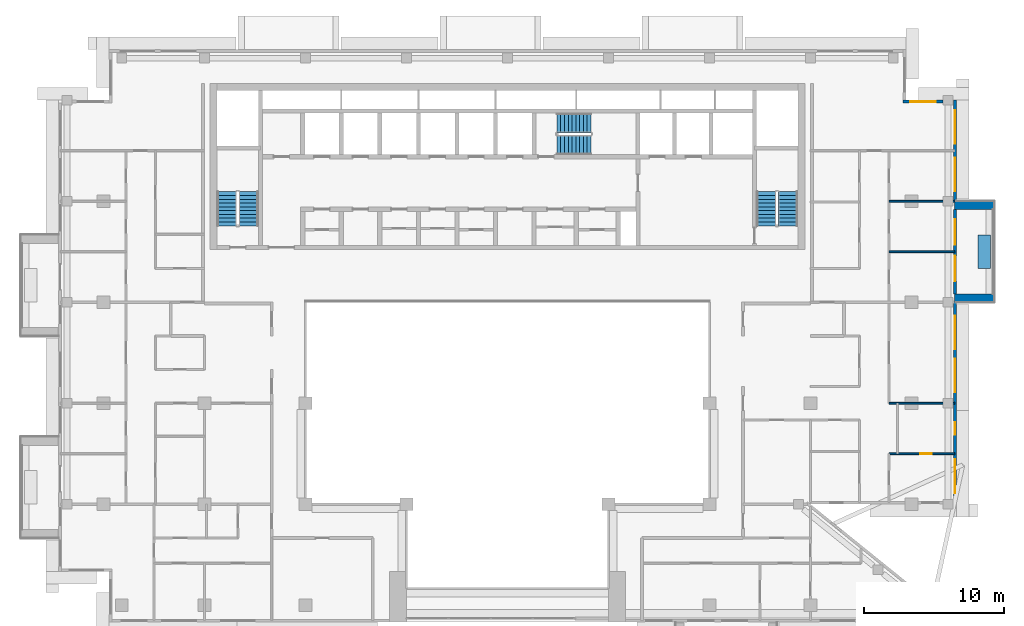
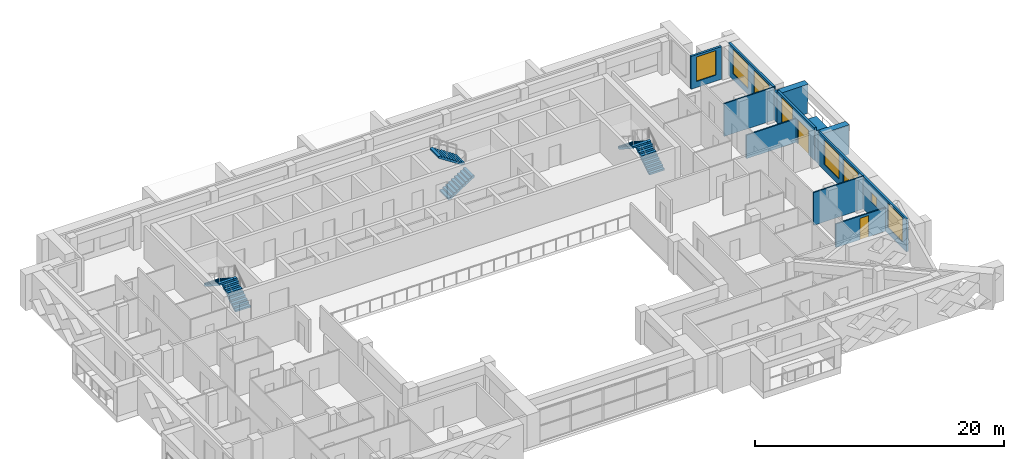
# One storey, part 12 of 19: 11 walls, 8 windows, 6 stair flights, 2 doors, 10 openings, 3 elements without a shape of their own.
"""IFC4 building model written with IfcOpenShell, lengths in metres."""

from ifc_helpers import new_model, si_unit, direction, frame, frame_2d, origin, place, context, subcontext, project, spatial, polyline, rectangle, outline, extrude, material, layer, layer_set, type_object, element, fill, aggregate, save


model = new_model("IFC4")

# Units and contexts
model_context = context("Model", 3, precision=1e-05, world=origin(), true_north=direction((0.0, 1.0)))
body_context = subcontext(model_context, "Body", "Model", "MODEL_VIEW")
ifc_project = project(units=[si_unit("LENGTHUNIT", "METRE"), si_unit("AREAUNIT", "SQUARE_METRE"), si_unit("VOLUMEUNIT", "CUBIC_METRE"), si_unit("PLANEANGLEUNIT", "RADIAN"), si_unit("MASSUNIT", "GRAM", prefix="KILO")], contexts=[model_context])

# Site, building, storey
site_placement = place(None, origin())
site = spatial("IfcSite", under=ifc_project, at=site_placement, CompositionType="ELEMENT")
building_placement = place(site_placement, origin())
building = spatial("IfcBuilding", under=site, at=building_placement, Name="Saffron Iwan Residences", CompositionType="ELEMENT")
storey_placement = place(building_placement, frame((0.0, 0.0, 229.0)))
storey = spatial("IfcBuildingStorey", under=building, at=storey_placement, Name="L61", CompositionType="ELEMENT", Elevation=229.0)

# Walls
ifc_material_1 = material(Name="Concrete C50/60 white painted", Category="concrete")
ifc_layer_1 = layer(ifc_material_1, 0.60009765625)
ifc_layer_set_1 = layer_set([ifc_layer_1], Name="Concrete C50/60 white painted")
wall_type_1 = type_object("IfcWallType", Name="BALCONY FIN 600", PredefinedType="SOLIDWALL", material=ifc_layer_set_1)
for number, where, z_axis, x_axis, name in (
    (1, (82.25, 62.699951171875, 0.0), (0.0, 0.0, 1.0), (1.0, 0.0, 0.0), "Balcony fin L61 F2-0a"),
    (2, (82.25, 69.300048828125, 0.0), (0.0, 0.0, 1.0), (1.0, 0.0, 0.0), "Balcony fin L61 F2-0b"),
):
    element("IfcWall", number, at=place(storey_placement, frame(where, z_axis=z_axis, x_axis=x_axis)), inside=storey, type_object=wall_type_1, Name=name, PredefinedType="SOLIDWALL", context=body_context, shape_type="SweptSolid", body=[
        extrude(rectangle(XDim=2.85009765625, YDim=0.60009765625, at=frame_2d((1.425048828125, 0.0))), origin(), (0.0, 0.0, 1.0), 2.85009765625),
    ])
ifc_material_2 = material(Name="Concrete C35/45 white painted", Category="concrete")
ifc_layer_2 = layer(ifc_material_2, 0.14990234375)
ifc_layer_set_2 = layer_set([ifc_layer_2], Name="Concrete C35/45 white painted")
wall_type_2 = type_object("IfcWallType", Name="BALCONY PLANTER", PredefinedType="SOLIDWALL", material=ifc_layer_set_2)
wall_1_placement = place(storey_placement, frame((84.375, 64.800048828125, 0.0), z_axis=(0.0, 0.0, 1.0), x_axis=(0.0, 1.0, 0.0)))
element("IfcWall", 3, at=wall_1_placement, inside=storey, type_object=wall_type_2, Name="PLANTER L61 F2-0", PredefinedType="SOLIDWALL", context=body_context, shape_type="SweptSolid", body=[
    extrude(rectangle(XDim=2.39990234375, YDim=0.89990234375, at=frame_2d((1.199951171875, 0.0))), origin(), (0.0, 0.0, 1.0), 0.89990234375),
])

# Wall, openings, windows
ifc_material_3 = material(Name="Concrete C40/50", Category="concrete")
ifc_layer_3 = layer(ifc_material_3, 0.199951171875)
ifc_layer_set_3 = layer_set([ifc_layer_3], Name="Concrete C40/50")
wall_type_3 = type_object("IfcWallType", Name="EXTERNAL WALL 200", PredefinedType="SOLIDWALL", material=ifc_layer_set_3)
wall_2_placement = place(storey_placement, frame((82.300048828125, 48.199951171875, 0.0), z_axis=(0.0, 0.0, 1.0), x_axis=(0.0, 1.0, 0.0)))
wall_2 = element("IfcWall", 4, at=wall_2_placement, inside=storey, type_object=wall_type_3, Name="External wall L61 F2.0", PredefinedType="SOLIDWALL", context=body_context, shape_type="SweptSolid", body=[
    extrude(rectangle(XDim=14.199951171875, YDim=0.199951171875, at=frame_2d((7.10009765625, 0.0))), origin(), (0.0, 0.0, 1.0), 3.219970703125),
])
opening_1_placement = place(wall_2_placement, frame((0.60009765625, 0.0, 0.60009765625)))
opening_1 = element("IfcOpeningElement", 5, at=opening_1_placement, cuts=wall_2, Name="Opening W1", PredefinedType="OPENING", context=body_context, shape_type="SweptSolid", body=[
    extrude(rectangle(XDim=2.39990234375, YDim=2.39990234375, at=frame_2d((1.199951171875, 1.199951171875))), frame((0.0, 0.10986328125, 0.0), z_axis=(0.0, -1.0, 0.0), x_axis=(1.0, 0.0, 0.0)), (0.0, 0.0, 1.0), 0.219970703125),
])
opening_2_placement = place(wall_2_placement, frame((4.75, 0.0, 1.5)))
opening_2 = element("IfcOpeningElement", 6, at=opening_2_placement, cuts=wall_2, Name="Opening W6", PredefinedType="OPENING", context=body_context, shape_type="SweptSolid", body=[
    extrude(rectangle(XDim=0.89990234375, YDim=0.89990234375, at=frame_2d((0.449951171875, 0.449951171875))), frame((0.0, 0.10986328125, 0.0), z_axis=(0.0, -1.0, 0.0), x_axis=(1.0, 0.0, 0.0)), (0.0, 0.0, 1.0), 0.219970703125),
])
opening_3_placement = place(wall_2_placement, frame((7.7666015625, 0.0, 0.60009765625)))
opening_3 = element("IfcOpeningElement", 7, at=opening_3_placement, cuts=wall_2, Name="Opening W1", PredefinedType="OPENING", context=body_context, shape_type="SweptSolid", body=[
    extrude(rectangle(XDim=2.39990234375, YDim=2.39990234375, at=frame_2d((1.199951171875, 1.199951171875))), frame((0.0, 0.10986328125, 0.0), z_axis=(0.0, -1.0, 0.0), x_axis=(1.0, 0.0, 0.0)), (0.0, 0.0, 1.0), 0.219970703125),
])
opening_4_placement = place(wall_2_placement, frame((10.833251953125, 0.0, 0.60009765625)))
opening_4 = element("IfcOpeningElement", 8, at=opening_4_placement, cuts=wall_2, Name="Opening W1", PredefinedType="OPENING", context=body_context, shape_type="SweptSolid", body=[
    extrude(rectangle(XDim=2.39990234375, YDim=2.39990234375, at=frame_2d((1.199951171875, 1.199951171875))), frame((0.0, 0.10986328125, 0.0), z_axis=(0.0, -1.0, 0.0), x_axis=(1.0, 0.0, 0.0)), (0.0, 0.0, 1.0), 0.219970703125),
])
ifc_material_4 = material(Name="Clear glass, laminated double glazed", Category="glass")
window_type_1 = type_object("IfcWindowType", Name="WINDOW 2400 x 2400", PartitioningType="DOUBLE_PANEL_VERTICAL", PredefinedType="WINDOW", material=ifc_material_4)
window_1_placement = place(opening_1_placement, origin())
window_1 = element("IfcWindow", 9, at=window_1_placement, inside=storey, type_object=window_type_1, Name="Window L61 F2.0", OverallHeight=2.39990234375, OverallWidth=2.39990234375, PartitioningType="DOUBLE_PANEL_VERTICAL", PredefinedType="WINDOW", context=body_context, shape_type="SweptSolid", body=[
    extrude(rectangle(XDim=2.39990234375, YDim=2.39990234375, at=frame_2d((1.199951171875, 1.199951171875))), frame((0.0, 0.030029296875, 0.0), z_axis=(0.0, -1.0, 0.0), x_axis=(1.0, 0.0, 0.0)), (0.0, 0.0, 1.0), 0.06005859375),
])
fill(opening_1, window_1)
window_2_placement = place(opening_3_placement, origin())
window_2 = element("IfcWindow", 10, at=window_2_placement, inside=storey, type_object=window_type_1, Name="Window L61 F2.2", OverallHeight=2.39990234375, OverallWidth=2.39990234375, PartitioningType="DOUBLE_PANEL_VERTICAL", PredefinedType="WINDOW", context=body_context, shape_type="SweptSolid", body=[
    extrude(rectangle(XDim=2.39990234375, YDim=2.39990234375, at=frame_2d((1.199951171875, 1.199951171875))), frame((0.0, 0.030029296875, 0.0), z_axis=(0.0, -1.0, 0.0), x_axis=(1.0, 0.0, 0.0)), (0.0, 0.0, 1.0), 0.06005859375),
])
fill(opening_3, window_2)
window_3_placement = place(opening_4_placement, origin())
window_3 = element("IfcWindow", 11, at=window_3_placement, inside=storey, type_object=window_type_1, Name="Window L61 F2.3", OverallHeight=2.39990234375, OverallWidth=2.39990234375, PartitioningType="DOUBLE_PANEL_VERTICAL", PredefinedType="WINDOW", context=body_context, shape_type="SweptSolid", body=[
    extrude(rectangle(XDim=2.39990234375, YDim=2.39990234375, at=frame_2d((1.199951171875, 1.199951171875))), frame((0.0, 0.030029296875, 0.0), z_axis=(0.0, -1.0, 0.0), x_axis=(1.0, 0.0, 0.0)), (0.0, 0.0, 1.0), 0.06005859375),
])
fill(opening_4, window_3)
window_type_2 = type_object("IfcWindowType", Name="WINDOW 900 x 900 BATH", PartitioningType="SINGLE_PANEL", PredefinedType="WINDOW", material=ifc_material_4)
window_4_placement = place(opening_2_placement, origin())
window_4 = element("IfcWindow", 12, at=window_4_placement, inside=storey, type_object=window_type_2, Name="Window L61 F2.1", OverallHeight=0.89990234375, OverallWidth=0.89990234375, PartitioningType="SINGLE_PANEL", PredefinedType="WINDOW", context=body_context, shape_type="SweptSolid", body=[
    extrude(rectangle(XDim=0.89990234375, YDim=0.89990234375, at=frame_2d((0.449951171875, 0.449951171875))), frame((0.0, 0.030029296875, 0.0), z_axis=(0.0, -1.0, 0.0), x_axis=(1.0, 0.0, 0.0)), (0.0, 0.0, 1.0), 0.06005859375),
])
fill(opening_2, window_4)

# Wall, openings, door, window
wall_3_placement = place(storey_placement, frame((82.300048828125, 63.0, 0.0), z_axis=(0.0, 0.0, 1.0), x_axis=(0.0, 1.0, 0.0)))
wall_3 = element("IfcWall", 13, at=wall_3_placement, inside=storey, type_object=wall_type_3, Name="External wall L61 F2.1", PredefinedType="SOLIDWALL", context=body_context, shape_type="SweptSolid", body=[
    extrude(rectangle(XDim=6.0, YDim=0.199951171875, at=frame_2d((3.0, 0.0))), origin(), (0.0, 0.0, 1.0), 3.219970703125),
])
opening_5_placement = place(wall_3_placement, frame((0.89990234375, 0.0, 0.0)))
opening_5 = element("IfcOpeningElement", 14, at=opening_5_placement, cuts=wall_3, Name="Opening BD1", PredefinedType="OPENING", context=body_context, shape_type="SweptSolid", body=[
    extrude(rectangle(XDim=1.800048828125, YDim=2.39990234375, at=frame_2d((0.89990234375, 1.199951171875))), frame((0.0, 0.10986328125, 0.0), z_axis=(0.0, -1.0, 0.0), x_axis=(1.0, 0.0, 0.0)), (0.0, 0.0, 1.0), 0.219970703125),
])
opening_6_placement = place(wall_3_placement, frame((3.5, 0.0, 0.60009765625)))
opening_6 = element("IfcOpeningElement", 15, at=opening_6_placement, cuts=wall_3, Name="Opening W8", PredefinedType="OPENING", context=body_context, shape_type="SweptSolid", body=[
    extrude(rectangle(XDim=1.800048828125, YDim=2.39990234375, at=frame_2d((0.89990234375, 1.199951171875))), frame((0.0, 0.10986328125, 0.0), z_axis=(0.0, -1.0, 0.0), x_axis=(1.0, 0.0, 0.0)), (0.0, 0.0, 1.0), 0.219970703125),
])
door_type_1 = type_object("IfcDoorType", Name="BALCONY DOOR 1800 x 2400", OperationType="DOUBLE_DOOR_SLIDING", PredefinedType="DOOR", material=ifc_material_4)
door_1_placement = place(opening_5_placement, origin())
door_1 = element("IfcDoor", 16, at=door_1_placement, inside=storey, type_object=door_type_1, Name="Balcony door L61 F2.0", OperationType="DOUBLE_DOOR_SLIDING", OverallHeight=2.39990234375, OverallWidth=1.800048828125, PredefinedType="DOOR", context=body_context, shape_type="SweptSolid", body=[
    extrude(rectangle(XDim=1.800048828125, YDim=2.39990234375, at=frame_2d((0.89990234375, 1.199951171875))), frame((0.0, 0.02490234375, 0.0), z_axis=(0.0, -1.0, 0.0), x_axis=(1.0, 0.0, 0.0)), (0.0, 0.0, 1.0), 0.050048828125),
])
fill(opening_5, door_1)
window_type_3 = type_object("IfcWindowType", Name="WINDOW 1800 x 2400", PartitioningType="DOUBLE_PANEL_VERTICAL", PredefinedType="WINDOW", material=ifc_material_4)
window_5_placement = place(opening_6_placement, origin())
window_5 = element("IfcWindow", 17, at=window_5_placement, inside=storey, type_object=window_type_3, Name="Window L61 F2.1", OverallHeight=2.39990234375, OverallWidth=1.800048828125, PartitioningType="DOUBLE_PANEL_VERTICAL", PredefinedType="WINDOW", context=body_context, shape_type="SweptSolid", body=[
    extrude(rectangle(XDim=1.800048828125, YDim=2.39990234375, at=frame_2d((0.89990234375, 1.199951171875))), frame((0.0, 0.030029296875, 0.0), z_axis=(0.0, -1.0, 0.0), x_axis=(1.0, 0.0, 0.0)), (0.0, 0.0, 1.0), 0.06005859375),
])
fill(opening_6, window_5)

# Wall, openings, windows
wall_4_placement = place(storey_placement, frame((82.300048828125, 69.60009765625, 0.0), z_axis=(0.0, 0.0, 1.0), x_axis=(0.0, 1.0, 0.0)))
wall_4 = element("IfcWall", 18, at=wall_4_placement, inside=storey, type_object=wall_type_3, Name="External wall L61 F2.2", PredefinedType="SOLIDWALL", context=body_context, shape_type="SweptSolid", body=[
    extrude(rectangle(XDim=7.199951171875, YDim=0.199951171875, at=frame_2d((3.60009765625, 0.0))), origin(), (0.0, 0.0, 1.0), 3.219970703125),
])
opening_7_placement = place(wall_4_placement, frame((0.699951171875, 0.0, 0.60009765625)))
opening_7 = element("IfcOpeningElement", 19, at=opening_7_placement, cuts=wall_4, Name="Opening W1", PredefinedType="OPENING", context=body_context, shape_type="SweptSolid", body=[
    extrude(rectangle(XDim=2.39990234375, YDim=2.39990234375, at=frame_2d((1.199951171875, 1.199951171875))), frame((0.0, 0.10986328125, 0.0), z_axis=(0.0, -1.0, 0.0), x_axis=(1.0, 0.0, 0.0)), (0.0, 0.0, 1.0), 0.219970703125),
])
opening_8_placement = place(wall_4_placement, frame((4.10009765625, 0.0, 0.60009765625)))
opening_8 = element("IfcOpeningElement", 20, at=opening_8_placement, cuts=wall_4, Name="Opening W1", PredefinedType="OPENING", context=body_context, shape_type="SweptSolid", body=[
    extrude(rectangle(XDim=2.39990234375, YDim=2.39990234375, at=frame_2d((1.199951171875, 1.199951171875))), frame((0.0, 0.10986328125, 0.0), z_axis=(0.0, -1.0, 0.0), x_axis=(1.0, 0.0, 0.0)), (0.0, 0.0, 1.0), 0.219970703125),
])
window_6_placement = place(opening_7_placement, origin())
window_6 = element("IfcWindow", 21, at=window_6_placement, inside=storey, type_object=window_type_1, Name="Window L61 F2.0", OverallHeight=2.39990234375, OverallWidth=2.39990234375, PartitioningType="DOUBLE_PANEL_VERTICAL", PredefinedType="WINDOW", context=body_context, shape_type="SweptSolid", body=[
    extrude(rectangle(XDim=2.39990234375, YDim=2.39990234375, at=frame_2d((1.199951171875, 1.199951171875))), frame((0.0, 0.030029296875, 0.0), z_axis=(0.0, -1.0, 0.0), x_axis=(1.0, 0.0, 0.0)), (0.0, 0.0, 1.0), 0.06005859375),
])
fill(opening_7, window_6)
window_7_placement = place(opening_8_placement, origin())
window_7 = element("IfcWindow", 22, at=window_7_placement, inside=storey, type_object=window_type_1, Name="Window L61 F2.1", OverallHeight=2.39990234375, OverallWidth=2.39990234375, PartitioningType="DOUBLE_PANEL_VERTICAL", PredefinedType="WINDOW", context=body_context, shape_type="SweptSolid", body=[
    extrude(rectangle(XDim=2.39990234375, YDim=2.39990234375, at=frame_2d((1.199951171875, 1.199951171875))), frame((0.0, 0.030029296875, 0.0), z_axis=(0.0, -1.0, 0.0), x_axis=(1.0, 0.0, 0.0)), (0.0, 0.0, 1.0), 0.06005859375),
])
fill(opening_8, window_7)

# Wall, opening, window
wall_5_placement = place(storey_placement, frame((81.449951171875, 76.699951171875, 0.0), z_axis=(0.0, 0.0, 1.0), x_axis=(-1.0, 0.0, 0.0)))
wall_5 = element("IfcWall", 23, at=wall_5_placement, inside=storey, type_object=wall_type_3, Name="External wall L61 F3.0", PredefinedType="SOLIDWALL", context=body_context, shape_type="SweptSolid", body=[
    extrude(rectangle(XDim=2.849853515625, YDim=0.199951171875, at=frame_2d((1.4248046875, 0.0))), origin(), (0.0, 0.0, 1.0), 3.219970703125),
])
opening_9_placement = place(wall_5_placement, frame((0.52490234375, 0.0, 0.60009765625)))
opening_9 = element("IfcOpeningElement", 24, at=opening_9_placement, cuts=wall_5, Name="Opening W8", PredefinedType="OPENING", context=body_context, shape_type="SweptSolid", body=[
    extrude(rectangle(XDim=1.800048828125, YDim=2.39990234375, at=frame_2d((0.89990234375, 1.199951171875))), frame((0.0, 0.10986328125, 0.0), z_axis=(0.0, -1.0, 0.0), x_axis=(1.0, 0.0, 0.0)), (0.0, 0.0, 1.0), 0.219970703125),
])
window_8_placement = place(opening_9_placement, origin())
window_8 = element("IfcWindow", 25, at=window_8_placement, inside=storey, type_object=window_type_3, Name="Window L61 F3.0", OverallHeight=2.39990234375, OverallWidth=1.800048828125, PartitioningType="DOUBLE_PANEL_VERTICAL", PredefinedType="WINDOW", context=body_context, shape_type="SweptSolid", body=[
    extrude(rectangle(XDim=1.800048828125, YDim=2.39990234375, at=frame_2d((0.89990234375, 1.199951171875))), frame((0.0, 0.030029296875, 0.0), z_axis=(0.0, -1.0, 0.0), x_axis=(1.0, 0.0, 0.0)), (0.0, 0.0, 1.0), 0.06005859375),
])
fill(opening_9, window_8)

# Wall, opening, door
ifc_material_5 = material(Name="Gypsum board partition")
ifc_layer_4 = layer(ifc_material_5, 0.1201171875)
ifc_layer_set_4 = layer_set([ifc_layer_4], Name="Gypsum board partition")
wall_type_4 = type_object("IfcWallType", Name="Flat partition 120", PredefinedType="PARTITIONING", material=ifc_layer_set_4)
wall_6_placement = place(storey_placement, frame((77.60009765625, 51.60009765625, 0.0), z_axis=(0.0, 0.0, 1.0), x_axis=(1.0, 0.0, 0.0)))
wall_6 = element("IfcWall", 26, at=wall_6_placement, inside=storey, type_object=wall_type_4, Name="W-L61-PART-h51.6-77.6", PredefinedType="PARTITIONING", context=body_context, shape_type="SweptSolid", body=[
    extrude(rectangle(XDim=4.6748046875, YDim=0.1201171875, at=frame_2d((2.33740234375, 0.0))), origin(), (0.0, 0.0, 1.0), 2.320068359375),
])
opening_10_placement = place(wall_6_placement, frame((2.237548828125, 0.0, 0.0)))
opening_10 = element("IfcOpeningElement", 27, at=opening_10_placement, cuts=wall_6, Name="Opening FD3", PredefinedType="OPENING", context=body_context, shape_type="SweptSolid", body=[
    extrude(rectangle(XDim=0.800048828125, YDim=2.10009765625, at=frame_2d((0.39990234375, 1.050048828125))), frame((0.0, 0.070068359375, 0.0), z_axis=(0.0, -1.0, 0.0), x_axis=(1.0, 0.0, 0.0)), (0.0, 0.0, 1.0), 0.14013671875),
])
ifc_material_6 = material(Name="Timber door", Category="wood")
door_type_2 = type_object("IfcDoorType", Name="Bathroom door 800", OperationType="NOTDEFINED", PredefinedType="DOOR", material=ifc_material_6)
door_2_placement = place(opening_10_placement, origin())
door_2 = element("IfcDoor", 28, at=door_2_placement, inside=storey, type_object=door_type_2, Name="Door L61-018", OperationType="SINGLE_SWING_RIGHT", OverallHeight=2.10009765625, OverallWidth=0.800048828125, PredefinedType="DOOR", context=body_context, shape_type="SweptSolid", body=[
    extrude(rectangle(XDim=0.800048828125, YDim=2.10009765625, at=frame_2d((0.39990234375, 1.050048828125))), frame((0.0, 0.02490234375, 0.0), z_axis=(0.0, -1.0, 0.0), x_axis=(1.0, 0.0, 0.0)), (0.0, 0.0, 1.0), 0.050048828125),
])
fill(opening_10, door_2)

# Walls
wall_7_placement = place(storey_placement, frame((77.60009765625, 55.199951171875, 0.0), z_axis=(0.0, 0.0, 1.0), x_axis=(1.0, 0.0, 0.0)))
element("IfcWall", 29, at=wall_7_placement, inside=storey, type_object=wall_type_4, Name="W-L61-PART-h55.2-77.6", PredefinedType="PARTITIONING", context=body_context, shape_type="SweptSolid", body=[
    extrude(rectangle(XDim=4.6748046875, YDim=0.1201171875, at=frame_2d((2.33740234375, 0.0))), origin(), (0.0, 0.0, 1.0), 3.219970703125),
])
wall_8_placement = place(storey_placement, frame((77.60009765625, 66.0, 0.0), z_axis=(0.0, 0.0, 1.0), x_axis=(1.0, 0.0, 0.0)))
element("IfcWall", 30, at=wall_8_placement, inside=storey, type_object=wall_type_4, Name="W-L61-PART-h66-77.6", PredefinedType="PARTITIONING", context=body_context, shape_type="SweptSolid", body=[
    extrude(rectangle(XDim=4.6748046875, YDim=0.1201171875, at=frame_2d((2.33740234375, 0.0))), origin(), (0.0, 0.0, 1.0), 2.320068359375),
])
wall_9_placement = place(storey_placement, frame((77.60009765625, 69.60009765625, 0.0), z_axis=(0.0, 0.0, 1.0), x_axis=(1.0, 0.0, 0.0)))
element("IfcWall", 31, at=wall_9_placement, inside=storey, type_object=wall_type_4, Name="W-L61-PART-h69.6-77.6", PredefinedType="PARTITIONING", context=body_context, shape_type="SweptSolid", body=[
    extrude(rectangle(XDim=4.6748046875, YDim=0.1201171875, at=frame_2d((2.33740234375, 0.0))), origin(), (0.0, 0.0, 1.0), 3.219970703125),
])

# Stair, stair flights
ifc_material_7 = material(Name="Concrete C50/60", Category="concrete")
stair_type = type_object("IfcStairType", Name="Stair ST-CORE", PredefinedType="HALF_TURN_STAIR", material=ifc_material_7)
stair_1_placement = place(storey_placement, origin())
stair_1 = element("IfcStair", 32, at=stair_1_placement, inside=storey, type_object=stair_type, Name="L61 Exit Stair ST-W", PredefinedType="HALF_TURN_STAIR")
ifc_layer_5 = layer(ifc_material_7, 0.14990234375)
ifc_layer_set_5 = layer_set([ifc_layer_5], Name="Concrete C50/60")
stair_flight_type = type_object("IfcStairFlightType", Name="Stair flight SFL-RC", PredefinedType="STRAIGHT", material=ifc_layer_set_5)
stair_flight_1_placement = place(storey_placement, frame((31.949951171875, 67.85009765625, 0.0), z_axis=(0.0, 0.0, 1.0), x_axis=(0.0, 1.0, 0.0)))
stair_flight_1 = element("IfcStairFlight", 33, at=stair_flight_1_placement, type_object=stair_flight_type, Name="ST-W flight 1", NumberOfRisers=10, NumberOfTreads=9, PredefinedType="STRAIGHT", RiserHeight=0.175, TreadLength=0.27, context=body_context, shape_type="SweptSolid", body=[
    extrude(outline(polyline([(0.0, 0.0), (0.0, 0.175048828125), (0.27001953125, 0.175048828125), (0.27001953125, 0.35009765625), (0.5400390625, 0.35009765625), (0.5400390625, 0.52490234375), (0.81005859375, 0.52490234375), (0.81005859375, 0.699951171875), (1.080078125, 0.699951171875), (1.080078125, 0.875), (1.35009765625, 0.875), (1.35009765625, 1.050048828125), (1.6201171875, 1.050048828125), (1.6201171875, 1.22509765625), (1.889892578125, 1.22509765625), (1.889892578125, 1.39990234375), (2.159912109375, 1.39990234375), (2.159912109375, 1.574951171875), (2.429931640625, 1.574951171875), (2.429931640625, 1.75), (2.429931640625, 1.396484375), (0.275634765625, 0.0), (0.0, 0.0)])), frame((0.0, 0.699951171875, 0.0), z_axis=(0.0, -1.0, 0.0), x_axis=(1.0, 0.0, 0.0)), (0.0, 0.0, 1.0), 1.39990234375),
])
stair_flight_2_placement = place(storey_placement, frame((30.39990234375, 70.280029296875, 1.75), z_axis=(0.0, 0.0, 1.0), x_axis=(0.0, -1.0, 0.0)))
stair_flight_2 = element("IfcStairFlight", 34, at=stair_flight_2_placement, type_object=stair_flight_type, Name="ST-W flight 2", NumberOfRisers=10, NumberOfTreads=9, PredefinedType="STRAIGHT", RiserHeight=0.175, TreadLength=0.27, context=body_context, shape_type="SweptSolid", body=[
    extrude(outline(polyline([(0.0, 0.0), (0.0, 0.175048828125), (0.27001953125, 0.175048828125), (0.27001953125, 0.35009765625), (0.5400390625, 0.35009765625), (0.5400390625, 0.52490234375), (0.81005859375, 0.52490234375), (0.81005859375, 0.699951171875), (1.080078125, 0.699951171875), (1.080078125, 0.875), (1.35009765625, 0.875), (1.35009765625, 1.050048828125), (1.6201171875, 1.050048828125), (1.6201171875, 1.22509765625), (1.889892578125, 1.22509765625), (1.889892578125, 1.39990234375), (2.159912109375, 1.39990234375), (2.159912109375, 1.574951171875), (2.429931640625, 1.574951171875), (2.429931640625, 1.75), (2.429931640625, 1.396484375), (0.275634765625, 0.0), (0.0, 0.0)])), frame((0.0, 0.699951171875, 0.0), z_axis=(0.0, -1.0, 0.0), x_axis=(1.0, 0.0, 0.0)), (0.0, 0.0, 1.0), 1.39990234375),
])
aggregate(stair_1, [stair_flight_1, stair_flight_2])

stair_2_placement = place(storey_placement, origin())
stair_2 = element("IfcStair", 35, at=stair_2_placement, inside=storey, type_object=stair_type, Name="L61 Exit Stair ST-C", PredefinedType="HALF_TURN_STAIR")
stair_flight_3_placement = place(storey_placement, frame((53.925048828125, 73.625, 0.0), z_axis=(0.0, 0.0, 1.0), x_axis=(1.0, 0.0, 0.0)))
stair_flight_3 = element("IfcStairFlight", 36, at=stair_flight_3_placement, type_object=stair_flight_type, Name="ST-C flight 1", NumberOfRisers=10, NumberOfTreads=9, PredefinedType="STRAIGHT", RiserHeight=0.175, TreadLength=0.27, context=body_context, shape_type="SweptSolid", body=[
    extrude(outline(polyline([(0.0, 0.0), (0.0, 0.175048828125), (0.27001953125, 0.175048828125), (0.27001953125, 0.35009765625), (0.5400390625, 0.35009765625), (0.5400390625, 0.52490234375), (0.81005859375, 0.52490234375), (0.81005859375, 0.699951171875), (1.080078125, 0.699951171875), (1.080078125, 0.875), (1.35009765625, 0.875), (1.35009765625, 1.050048828125), (1.6201171875, 1.050048828125), (1.6201171875, 1.22509765625), (1.889892578125, 1.22509765625), (1.889892578125, 1.39990234375), (2.159912109375, 1.39990234375), (2.159912109375, 1.574951171875), (2.429931640625, 1.574951171875), (2.429931640625, 1.75), (2.429931640625, 1.396484375), (0.275634765625, 0.0), (0.0, 0.0)])), frame((0.0, 0.699951171875, 0.0), z_axis=(0.0, -1.0, 0.0), x_axis=(1.0, 0.0, 0.0)), (0.0, 0.0, 1.0), 1.39990234375),
])
stair_flight_4_placement = place(storey_placement, frame((56.35498046875, 75.175048828125, 1.75), z_axis=(0.0, 0.0, 1.0), x_axis=(-1.0, 0.0, 0.0)))
stair_flight_4 = element("IfcStairFlight", 37, at=stair_flight_4_placement, type_object=stair_flight_type, Name="ST-C flight 2", NumberOfRisers=10, NumberOfTreads=9, PredefinedType="STRAIGHT", RiserHeight=0.175, TreadLength=0.27, context=body_context, shape_type="SweptSolid", body=[
    extrude(outline(polyline([(0.0, 0.0), (0.0, 0.175048828125), (0.27001953125, 0.175048828125), (0.27001953125, 0.35009765625), (0.5400390625, 0.35009765625), (0.5400390625, 0.52490234375), (0.81005859375, 0.52490234375), (0.81005859375, 0.699951171875), (1.080078125, 0.699951171875), (1.080078125, 0.875), (1.35009765625, 0.875), (1.35009765625, 1.050048828125), (1.6201171875, 1.050048828125), (1.6201171875, 1.22509765625), (1.889892578125, 1.22509765625), (1.889892578125, 1.39990234375), (2.159912109375, 1.39990234375), (2.159912109375, 1.574951171875), (2.429931640625, 1.574951171875), (2.429931640625, 1.75), (2.429931640625, 1.396484375), (0.275634765625, 0.0), (0.0, 0.0)])), frame((0.0, 0.699951171875, 0.0), z_axis=(0.0, -1.0, 0.0), x_axis=(1.0, 0.0, 0.0)), (0.0, 0.0, 1.0), 1.39990234375),
])
aggregate(stair_2, [stair_flight_3, stair_flight_4])

stair_3_placement = place(storey_placement, origin())
stair_3 = element("IfcStair", 38, at=stair_3_placement, inside=storey, type_object=stair_type, Name="L61 Exit Stair ST-E", PredefinedType="HALF_TURN_STAIR")
stair_flight_5_placement = place(storey_placement, frame((70.39990234375, 67.85009765625, 0.0), z_axis=(0.0, 0.0, 1.0), x_axis=(0.0, 1.0, 0.0)))
stair_flight_5 = element("IfcStairFlight", 39, at=stair_flight_5_placement, type_object=stair_flight_type, Name="ST-E flight 1", NumberOfRisers=10, NumberOfTreads=9, PredefinedType="STRAIGHT", RiserHeight=0.175, TreadLength=0.27, context=body_context, shape_type="SweptSolid", body=[
    extrude(outline(polyline([(0.0, 0.0), (0.0, 0.175048828125), (0.27001953125, 0.175048828125), (0.27001953125, 0.35009765625), (0.5400390625, 0.35009765625), (0.5400390625, 0.52490234375), (0.81005859375, 0.52490234375), (0.81005859375, 0.699951171875), (1.080078125, 0.699951171875), (1.080078125, 0.875), (1.35009765625, 0.875), (1.35009765625, 1.050048828125), (1.6201171875, 1.050048828125), (1.6201171875, 1.22509765625), (1.889892578125, 1.22509765625), (1.889892578125, 1.39990234375), (2.159912109375, 1.39990234375), (2.159912109375, 1.574951171875), (2.429931640625, 1.574951171875), (2.429931640625, 1.75), (2.429931640625, 1.396484375), (0.275634765625, 0.0), (0.0, 0.0)])), frame((0.0, 0.699951171875, 0.0), z_axis=(0.0, -1.0, 0.0), x_axis=(1.0, 0.0, 0.0)), (0.0, 0.0, 1.0), 1.39990234375),
])
stair_flight_6_placement = place(storey_placement, frame((68.85009765625, 70.280029296875, 1.75), z_axis=(0.0, 0.0, 1.0), x_axis=(0.0, -1.0, 0.0)))
stair_flight_6 = element("IfcStairFlight", 40, at=stair_flight_6_placement, type_object=stair_flight_type, Name="ST-E flight 2", NumberOfRisers=10, NumberOfTreads=9, PredefinedType="STRAIGHT", RiserHeight=0.175, TreadLength=0.27, context=body_context, shape_type="SweptSolid", body=[
    extrude(outline(polyline([(0.0, 0.0), (0.0, 0.175048828125), (0.27001953125, 0.175048828125), (0.27001953125, 0.35009765625), (0.5400390625, 0.35009765625), (0.5400390625, 0.52490234375), (0.81005859375, 0.52490234375), (0.81005859375, 0.699951171875), (1.080078125, 0.699951171875), (1.080078125, 0.875), (1.35009765625, 0.875), (1.35009765625, 1.050048828125), (1.6201171875, 1.050048828125), (1.6201171875, 1.22509765625), (1.889892578125, 1.22509765625), (1.889892578125, 1.39990234375), (2.159912109375, 1.39990234375), (2.159912109375, 1.574951171875), (2.429931640625, 1.574951171875), (2.429931640625, 1.75), (2.429931640625, 1.396484375), (0.275634765625, 0.0), (0.0, 0.0)])), frame((0.0, 0.699951171875, 0.0), z_axis=(0.0, -1.0, 0.0), x_axis=(1.0, 0.0, 0.0)), (0.0, 0.0, 1.0), 1.39990234375),
])
aggregate(stair_3, [stair_flight_5, stair_flight_6])

save(model, "model.ifc")
